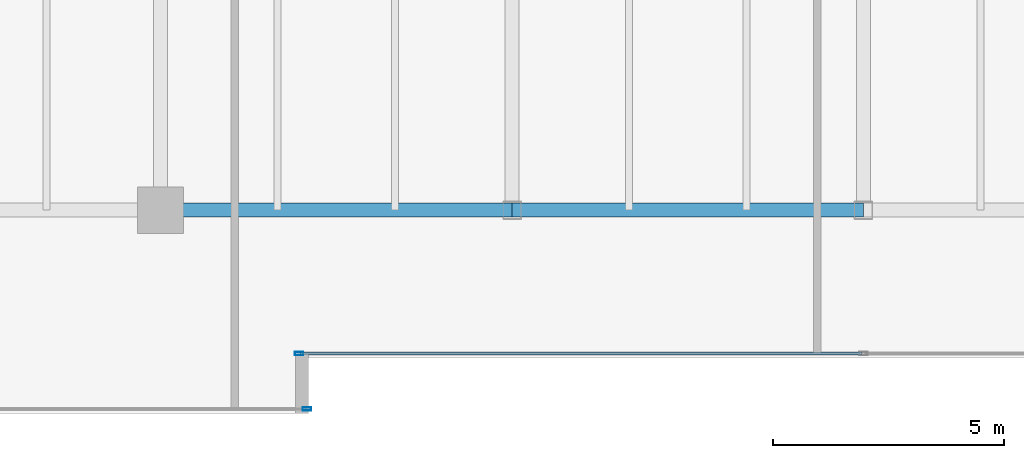
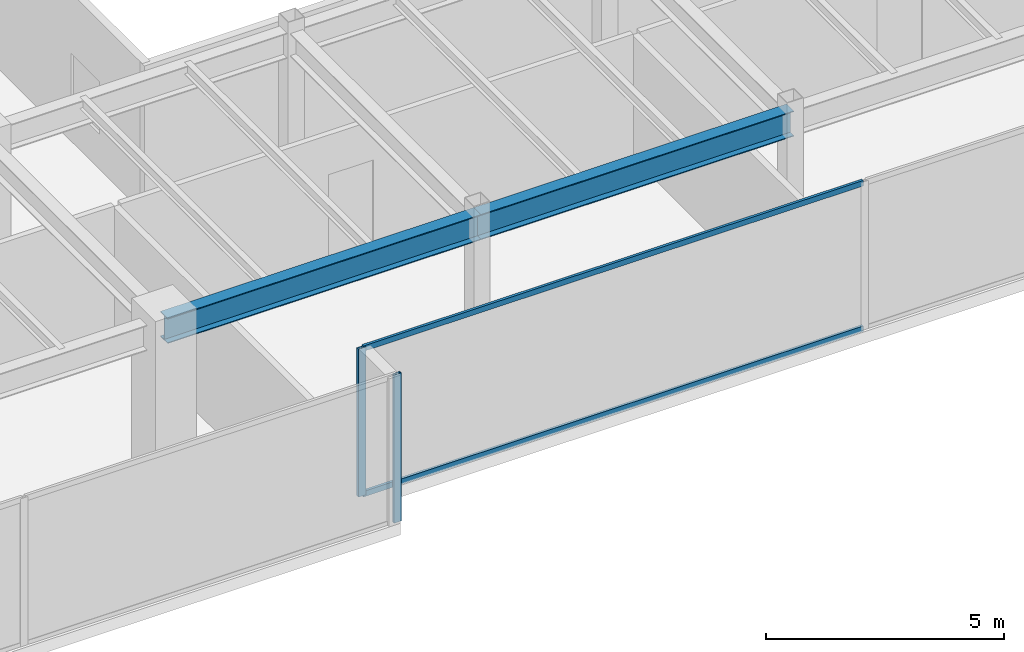
# One storey, part 7 of 33: 4 members, 2 beams, 2 elements without a shape of their own.
"""IFC4 building model written with IfcOpenShell, lengths in metres."""

from ifc_helpers import new_model, si_unit, direction, frame, origin, origin_2d, place, context, subcontext, project, spatial, hollow_rectangle, i_section, extrude, source, transform, mapped, material, layer, layer_set, material_profile, profile_set, type_object, type_shapes, element, aggregate, save


model = new_model("IFC4")

# Units and contexts
model_context = context("Model", 3, precision=1e-05, world=origin(), true_north=direction((0.0, 1.0)))
body_context = subcontext(model_context, "Body", "Model", "MODEL_VIEW")
ifc_project = project(units=[si_unit("LENGTHUNIT", "METRE"), si_unit("AREAUNIT", "SQUARE_METRE"), si_unit("VOLUMEUNIT", "CUBIC_METRE"), si_unit("PLANEANGLEUNIT", "RADIAN"), si_unit("MASSUNIT", "GRAM", prefix="KILO")], contexts=[model_context])

# Site, building, storey
site_placement = place(None, origin())
site = spatial("IfcSite", under=ifc_project, at=site_placement, CompositionType="ELEMENT")
building_placement = place(site_placement, origin())
building = spatial("IfcBuilding", under=site, at=building_placement, Name="Haelvirn Gate Laboratories", CompositionType="ELEMENT")
storey_placement = place(building_placement, frame((0.0, 0.0, 238.300048828125)))
storey = spatial("IfcBuildingStorey", under=building, at=storey_placement, Name="L57", CompositionType="ELEMENT", Elevation=238.300048828125)

# Beams
ifc_material_1 = material(Name="Steel SM355", Category="steel")
ifc_material_profile_1 = material_profile(ifc_material_1, i_section(OverallWidth=0.300048828125, OverallDepth=0.64990234375, WebThickness=0.012939453125, FlangeThickness=0.02197265625, at=origin_2d()), Name="H-650x300x13x22")
ifc_profile_set_1 = profile_set([ifc_material_profile_1], Name="Steel SM355")
beam_type = type_object("IfcBeamType", Name="BM-G-650", PredefinedType="BEAM", material=ifc_profile_set_1)
shared_shape_1 = source(origin(), body_context, "Body", "SweptSolid", [
    extrude(i_section(OverallWidth=0.300048828125, OverallDepth=0.64990234375, WebThickness=0.012939453125, FlangeThickness=0.02197265625, at=origin_2d()), origin(), (0.0, 0.0, 1.0), 7.60009765625),
])
beam_1_placement = place(storey_placement, frame((22.199951171875, 7.0, 3.474853515625), z_axis=(1.0, 0.0, 0.0), x_axis=(0.0, 1.0, 0.0)))
element("IfcBeam", 1, at=beam_1_placement, inside=storey, type_object=beam_type, Name="L57 Primary Girder Y7.0 (22.2-29.8)", PredefinedType="BEAM", context=body_context, shape_type="MappedRepresentation", body=[
    mapped(shared_shape_1, transform((0.0, 0.0, 0.0), scale=1.0)),
])
shared_shape_2 = source(origin(), body_context, "Body", "SweptSolid", [
    extrude(i_section(OverallWidth=0.300048828125, OverallDepth=0.64990234375, WebThickness=0.012939453125, FlangeThickness=0.02197265625, at=origin_2d()), origin(), (0.0, 0.0, 1.0), 7.599853515625),
])
type_shapes(beam_type, [shared_shape_1, shared_shape_2])
beam_2_placement = place(storey_placement, frame((29.800048828125, 7.0, 3.474853515625), z_axis=(1.0, 0.0, 0.0), x_axis=(0.0, 1.0, 0.0)))
element("IfcBeam", 2, at=beam_2_placement, inside=storey, type_object=beam_type, Name="L57 Primary Girder Y7.0 (29.8-37.4)", PredefinedType="BEAM", context=body_context, shape_type="MappedRepresentation", body=[
    mapped(shared_shape_2, transform((0.0, 0.0, 0.0), scale=1.0)),
])

# Curtain wall, members
ifc_material_2 = material(Name="Anodised bronze unitised aluminium & triple low-E glass", Category="aluminium")
ifc_layer = layer(ifc_material_2, 0.176025390625, Name="CW-SYS-4")
ifc_layer_set = layer_set([ifc_layer], Name="Anodised bronze unitised aluminium & triple low-E glass")
curtain_wall_type = type_object("IfcCurtainWallType", Name="CW-SYS-4", PredefinedType="NOTDEFINED", material=ifc_layer_set)
curtain_wall_1_placement = place(storey_placement, origin())
curtain_wall_1 = element("IfcCurtainWall", 3, at=curtain_wall_1_placement, inside=storey, type_object=curtain_wall_type, Name="L57 Unitised Curtain Wall CW-L57-P0-E02-1", PredefinedType="NOTDEFINED")
ifc_material_3 = material(Name="Extruded aluminium 6063-T6 (anodised bronze)", Category="aluminium")
ifc_material_profile_2 = material_profile(ifc_material_3, hollow_rectangle(XDim=0.06494140625, YDim=0.139892578125, WallThickness=0.00390625, at=origin_2d()), Name="CWT-140x65x4")
ifc_profile_set_2 = profile_set([ifc_material_profile_2], Name="Extruded aluminium 6063-T6 (anodised bronze)")
member_type_1 = type_object("IfcMemberType", Name="CWT-T140", PredefinedType="USERDEFINED", material=ifc_profile_set_2)
shared_shape_3 = source(origin(), body_context, "Body", "SweptSolid", [
    extrude(hollow_rectangle(XDim=0.06494140625, YDim=0.139892578125, WallThickness=0.00390625, at=origin_2d()), origin(), (0.0, 0.0, 1.0), 12.135009765625),
])
type_shapes(member_type_1, [shared_shape_3])
member_1_placement = place(storey_placement, frame((25.22998046875, 3.89990234375, 0.032470703125), z_axis=(1.0, 0.0, 0.0), x_axis=(0.0, 1.0, 0.0)))
member_1 = element("IfcMember", 4, at=member_1_placement, type_object=member_type_1, Name="CW4 transom 1.1", ObjectType="TRANSOM", PredefinedType="USERDEFINED", context=body_context, shape_type="MappedRepresentation", body=[
    mapped(shared_shape_3, transform((0.0, 0.0, 0.0), scale=1.0)),
])
member_2_placement = place(storey_placement, frame((25.22998046875, 3.89990234375, 3.767333984375), z_axis=(1.0, 0.0, 0.0), x_axis=(0.0, 1.0, 0.0)))
member_2 = element("IfcMember", 5, at=member_2_placement, type_object=member_type_1, Name="CW4 transom 1.2", ObjectType="TRANSOM", PredefinedType="USERDEFINED", context=body_context, shape_type="MappedRepresentation", body=[
    mapped(shared_shape_3, transform((0.0, 0.0, 0.0), scale=1.0)),
])

# Curtain wall, member
curtain_wall_2_placement = place(storey_placement, origin())
curtain_wall_2 = element("IfcCurtainWall", 6, at=curtain_wall_2_placement, inside=storey, type_object=curtain_wall_type, Name="L57 Unitised Curtain Wall CW-L57-P0-E00-1", PredefinedType="NOTDEFINED")
ifc_material_profile_3 = material_profile(ifc_material_3, hollow_rectangle(XDim=0.070068359375, YDim=0.179931640625, WallThickness=0.0048828125, at=origin_2d()), Name="CWM-180x70x5")
ifc_profile_set_3 = profile_set([ifc_material_profile_3], Name="Extruded aluminium 6063-T6 (anodised bronze)")
member_type_2 = type_object("IfcMemberType", Name="CWM-T180", PredefinedType="MULLION", material=ifc_profile_set_3)
shared_shape_4 = source(origin(), body_context, "Body", "SweptSolid", [
    extrude(hollow_rectangle(XDim=0.070068359375, YDim=0.179931640625, WallThickness=0.0048828125, at=origin_2d()), origin(), (0.0, 0.0, 1.0), 3.800048828125),
])
type_shapes(member_type_2, [shared_shape_4])
member_3_placement = place(storey_placement, frame((25.364990234375, 2.699951171875, 0.0), z_axis=(0.0, 0.0, 1.0), x_axis=(0.0, 1.0, 0.0)))
member_3 = element("IfcMember", 7, at=member_3_placement, type_object=member_type_2, Name="CW4 mullion 3", PredefinedType="MULLION", context=body_context, shape_type="MappedRepresentation", body=[
    mapped(shared_shape_4, transform((0.0, 0.0, 0.0), scale=1.0)),
])
aggregate(curtain_wall_2, [member_3])

# Member
member_4_placement = place(storey_placement, frame((25.195068359375, 3.89990234375, 0.0), z_axis=(0.0, 0.0, 1.0), x_axis=(0.0, 1.0, 0.0)))
member_4 = element("IfcMember", 8, at=member_4_placement, type_object=member_type_2, Name="CW4 mullion 1", PredefinedType="MULLION", context=body_context, shape_type="MappedRepresentation", body=[
    mapped(shared_shape_4, transform((0.0, 0.0, 0.0), scale=1.0)),
])

aggregate(curtain_wall_1, [member_4, member_1, member_2])

save(model, "model.ifc")
